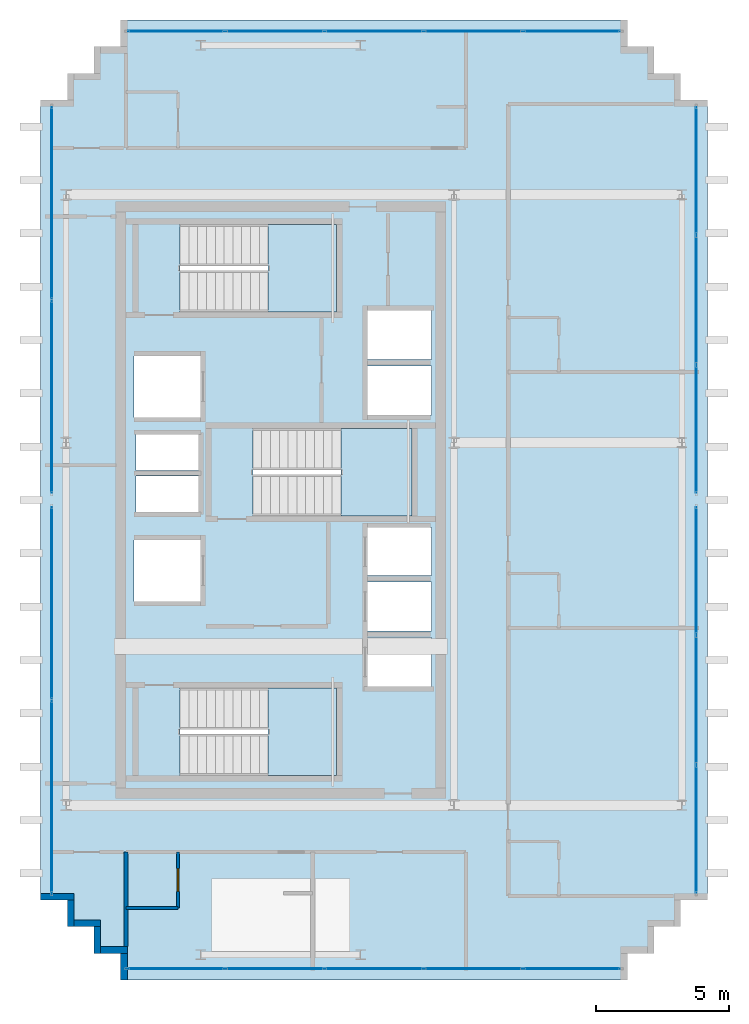
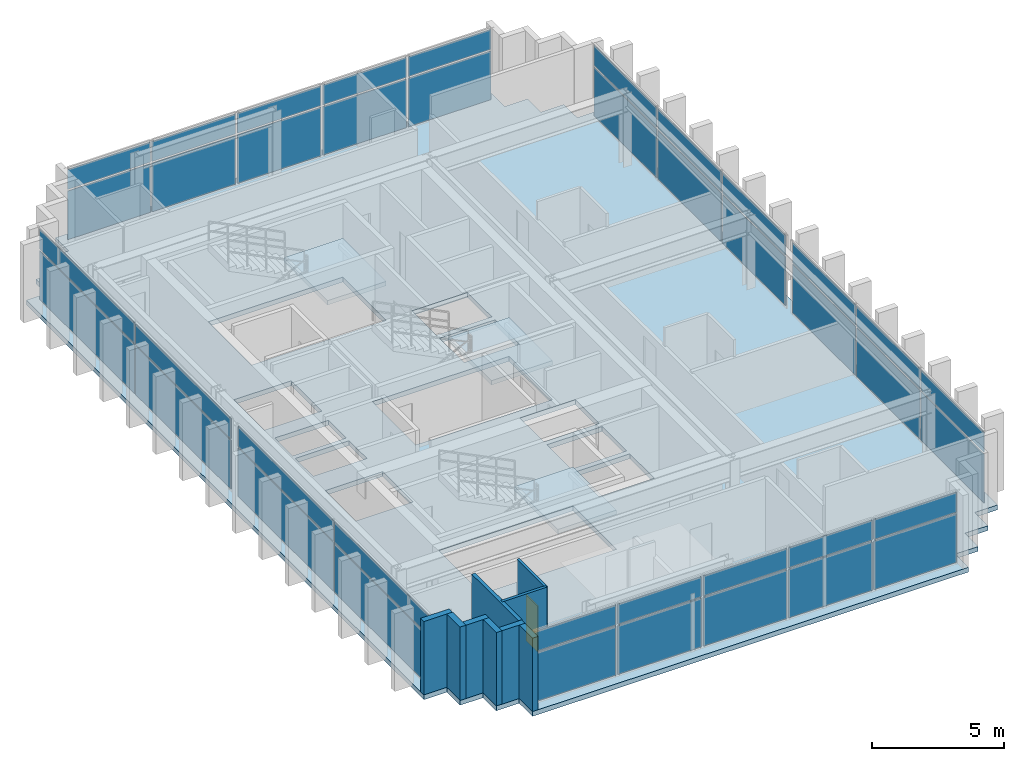
# One storey, part 11 of 15: 40 plates, 9 walls, 4 slabs, 1 door, 1 opening, 9 elements without a shape of their own.
"""IFC4 building model written with IfcOpenShell, lengths in metres."""

from ifc_helpers import new_model, si_unit, direction, frame, frame_2d, origin, origin_2d, place, context, subcontext, project, spatial, polyline, rectangle, outline, extrude, source, transform, mapped, material, layer, layer_set, type_object, element, fill, aggregate, save


model = new_model("IFC4")

# Units and contexts
model_context = context("Model", 3, precision=1e-05, world=origin(), true_north=direction((0.0, 1.0)))
body_context = subcontext(model_context, "Body", "Model", "MODEL_VIEW")
ifc_project = project(units=[si_unit("LENGTHUNIT", "METRE"), si_unit("AREAUNIT", "SQUARE_METRE"), si_unit("VOLUMEUNIT", "CUBIC_METRE"), si_unit("PLANEANGLEUNIT", "RADIAN"), si_unit("MASSUNIT", "GRAM", prefix="KILO")], contexts=[model_context])

# Site, building, storey
site_placement = place(None, origin())
site = spatial("IfcSite", under=ifc_project, at=site_placement, CompositionType="ELEMENT")
building_placement = place(site_placement, origin())
building = spatial("IfcBuilding", under=site, at=building_placement, Name="Ocotamira Hotel", CompositionType="ELEMENT")
storey_placement = place(building_placement, frame((0.0, 0.0, 279.60009765625)))
storey = spatial("IfcBuildingStorey", under=building, at=storey_placement, Name="L71", CompositionType="ELEMENT", Elevation=279.60009765625)

# Stair, slab
ifc_material_1 = material(Name="Concrete C40/50", Category="concrete")
stair_type = type_object("IfcStairType", Name="ST-CORE-1560", PredefinedType="HALF_TURN_STAIR", material=ifc_material_1)
stair_1_placement = place(storey_placement, origin())
stair_1 = element("IfcStair", 1, at=stair_1_placement, inside=storey, type_object=stair_type, Name="L71 Exit Stair ST-1", PredefinedType="HALF_TURN_STAIR")
ifc_layer_1 = layer(ifc_material_1, 0.199951171875)
ifc_layer_set_1 = layer_set([ifc_layer_1], Name="Concrete C40/50")
slab_type_1 = type_object("IfcSlabType", Name="SLB-LAND-200", PredefinedType="LANDING", material=ifc_layer_set_1)
slab_1_placement = place(storey_placement, frame((0.0, 0.0, 1.599853515625)))
slab_1 = element("IfcSlab", 2, at=slab_1_placement, type_object=slab_type_1, Name="ST-1 landing 1", PredefinedType="LANDING", context=body_context, shape_type="SweptSolid", body=[
    extrude(outline(polyline([(16.530029296875, 15.669921875), (19.090087890625, 15.669921875), (19.090087890625, 18.949951171875), (16.530029296875, 18.949951171875), (16.530029296875, 15.669921875)])), origin(), (0.0, 0.0, 1.0), 0.199951171875),
])
aggregate(stair_1, [slab_1])

stair_2_placement = place(storey_placement, origin())
stair_2 = element("IfcStair", 3, at=stair_2_placement, inside=storey, type_object=stair_type, Name="L71 Exit Stair ST-2", PredefinedType="HALF_TURN_STAIR")
slab_2_placement = place(storey_placement, frame((0.0, 0.0, 1.599853515625)))
slab_2 = element("IfcSlab", 4, at=slab_2_placement, type_object=slab_type_1, Name="ST-2 landing 1", PredefinedType="LANDING", context=body_context, shape_type="SweptSolid", body=[
    extrude(outline(polyline([(16.530029296875, 33.050048828125), (19.090087890625, 33.050048828125), (19.090087890625, 36.330078125), (16.530029296875, 36.330078125), (16.530029296875, 33.050048828125)])), origin(), (0.0, 0.0, 1.0), 0.199951171875),
])
aggregate(stair_2, [slab_2])

stair_3_placement = place(storey_placement, origin())
stair_3 = element("IfcStair", 5, at=stair_3_placement, inside=storey, type_object=stair_type, Name="L71 Exit Stair ST-3", PredefinedType="HALF_TURN_STAIR")
slab_3_placement = place(storey_placement, frame((0.0, 0.0, 1.599853515625)))
slab_3 = element("IfcSlab", 6, at=slab_3_placement, type_object=slab_type_1, Name="ST-3 landing 1", PredefinedType="LANDING", context=body_context, shape_type="SweptSolid", body=[
    extrude(outline(polyline([(19.260009765625, 25.39990234375), (21.919921875, 25.39990234375), (21.919921875, 28.679931640625), (19.260009765625, 28.679931640625), (19.260009765625, 25.39990234375)])), origin(), (0.0, 0.0, 1.0), 0.199951171875),
])
aggregate(stair_3, [slab_3])

# Slab
ifc_layer_2 = layer(ifc_material_1, 0.219970703125)
ifc_layer_set_2 = layer_set([ifc_layer_2], Name="Concrete C40/50")
slab_type_2 = type_object("IfcSlabType", Name="SLB-UPP-220", PredefinedType="FLOOR", material=ifc_layer_set_2)
slab_4_placement = place(storey_placement, frame((0.0, 0.0, -0.22021484375)))
element("IfcSlab", 7, at=slab_4_placement, inside=storey, type_object=slab_type_2, Name="L71 Structural Floor Slab", PredefinedType="FLOOR", context=body_context, shape_type="SweptSolid", body=[
    extrude(outline(polyline([(11.0, 8.0), (30.0, 8.0), (30.0, 9.0), (31.0, 9.0), (31.0, 10.0), (32.0, 10.0), (32.0, 11.0), (33.0, 11.0), (33.0, 41.0), (32.0, 41.0), (32.0, 42.0), (31.0, 42.0), (31.0, 43.0), (30.0, 43.0), (30.0, 44.0), (11.0, 44.0), (11.0, 43.0), (10.0, 43.0), (10.0, 42.0), (9.0, 42.0), (9.0, 41.0), (8.0, 41.0), (8.0, 11.0), (9.0, 11.0), (9.0, 10.0), (10.0, 10.0), (10.0, 9.0), (11.0, 9.0), (11.0, 8.0)]), holes=[polyline([(13.22998046875, 15.669921875), (19.090087890625, 15.669921875), (19.090087890625, 18.949951171875), (13.22998046875, 18.949951171875), (13.22998046875, 15.669921875)]), polyline([(13.22998046875, 33.050048828125), (19.090087890625, 33.050048828125), (19.090087890625, 36.330078125), (13.22998046875, 36.330078125), (13.22998046875, 33.050048828125)]), polyline([(15.9599609375, 25.39990234375), (21.919921875, 25.39990234375), (21.919921875, 28.679931640625), (15.9599609375, 28.679931640625), (15.9599609375, 25.39990234375)]), polyline([(20.25, 19.0), (22.659912109375, 19.0), (22.659912109375, 20.85009765625), (20.25, 20.85009765625), (20.25, 19.0)]), polyline([(20.25, 21.080078125), (22.659912109375, 21.080078125), (22.659912109375, 22.929931640625), (20.25, 22.929931640625), (20.25, 21.080078125)]), polyline([(20.25, 23.159912109375), (22.659912109375, 23.159912109375), (22.659912109375, 24.9599609375), (20.25, 24.9599609375), (20.25, 23.159912109375)]), polyline([(20.25, 29.179931640625), (22.659912109375, 29.179931640625), (22.659912109375, 31.030029296875), (20.25, 31.030029296875), (20.25, 29.179931640625)]), polyline([(20.25, 31.260009765625), (22.659912109375, 31.260009765625), (22.659912109375, 33.110107421875), (20.25, 33.110107421875), (20.25, 31.260009765625)]), polyline([(11.5, 22.199951171875), (14.0, 22.199951171875), (14.0, 24.5), (11.5, 24.5), (11.5, 22.199951171875)]), polyline([(11.5, 29.10009765625), (14.0, 29.10009765625), (14.0, 31.39990234375), (11.5, 31.39990234375), (11.5, 29.10009765625)]), polyline([(11.580078125, 25.550048828125), (13.919921875, 25.550048828125), (13.919921875, 26.89990234375), (11.580078125, 26.89990234375), (11.580078125, 25.550048828125)]), polyline([(11.580078125, 27.10009765625), (13.919921875, 27.10009765625), (13.919921875, 28.449951171875), (11.580078125, 28.449951171875), (11.580078125, 27.10009765625)])]), origin(), (0.0, 0.0, 1.0), 0.22021484375),
])

# Curtain wall, plates
ifc_material_2 = material(Name="Anodised pale-metal aluminium and solar glass", Category="aluminium")
ifc_layer_3 = layer(ifc_material_2, 0.2099609375)
ifc_layer_set_3 = layer_set([ifc_layer_3], Name="Anodised pale-metal aluminium and solar glass")
curtain_wall_type = type_object("IfcCurtainWallType", Name="CW-SYS7-PEAK", PredefinedType="NOTDEFINED", material=ifc_layer_set_3)
curtain_wall_1_placement = place(storey_placement, origin())
curtain_wall_1 = element("IfcCurtainWall", 8, at=curtain_wall_1_placement, inside=storey, type_object=curtain_wall_type, Name="L71 Curtain Wall CW-7 CW-L71-W1", PredefinedType="NOTDEFINED")
ifc_material_3 = material(Name="Double-silver low-E insulated solar glass", Category="glass")
ifc_layer_4 = layer(ifc_material_3, 0.031982421875)
ifc_layer_set_4 = layer_set([ifc_layer_4], Name="Double-silver low-E insulated solar glass")
plate_type = type_object("IfcPlateType", Name="CWP-VISION-32", PredefinedType="CURTAIN_PANEL", material=ifc_layer_set_4)
shared_shape_1 = source(origin(), body_context, "Body", "SweptSolid", [
    extrude(rectangle(XDim=7.179931640625, YDim=0.031982421875, at=origin_2d()), origin(), (0.0, 0.0, 1.0), 2.237548828125),
])
plate_1_placement = place(storey_placement, frame((8.419921875, 14.8701171875, 0.07470703125), z_axis=(0.0, 0.0, 1.0), x_axis=(0.0, 1.0, 0.0)))
plate_1 = element("IfcPlate", 9, at=plate_1_placement, type_object=plate_type, Name="CW-7 panel 1.1", PredefinedType="CURTAIN_PANEL", context=body_context, shape_type="MappedRepresentation", body=[
    mapped(shared_shape_1, transform((0.0, 0.0, 0.0), scale=1.0)),
])
plate_2_placement = place(storey_placement, frame((8.419921875, 22.1298828125, 0.07470703125), z_axis=(0.0, 0.0, 1.0), x_axis=(0.0, 1.0, 0.0)))
plate_2 = element("IfcPlate", 10, at=plate_2_placement, type_object=plate_type, Name="CW-7 panel 2.1", PredefinedType="CURTAIN_PANEL", context=body_context, shape_type="MappedRepresentation", body=[
    mapped(shared_shape_1, transform((0.0, 0.0, 0.0), scale=1.0)),
])

curtain_wall_2_placement = place(storey_placement, origin())
curtain_wall_2 = element("IfcCurtainWall", 11, at=curtain_wall_2_placement, inside=storey, type_object=curtain_wall_type, Name="L71 Curtain Wall CW-7 CW-L71-W2", PredefinedType="NOTDEFINED")
plate_3_placement = place(storey_placement, frame((8.419921875, 29.8701171875, 0.07470703125), z_axis=(0.0, 0.0, 1.0), x_axis=(0.0, 1.0, 0.0)))
plate_3 = element("IfcPlate", 12, at=plate_3_placement, type_object=plate_type, Name="CW-7 panel 1.1", PredefinedType="CURTAIN_PANEL", context=body_context, shape_type="MappedRepresentation", body=[
    mapped(shared_shape_1, transform((0.0, 0.0, 0.0), scale=1.0)),
])
plate_4_placement = place(storey_placement, frame((8.419921875, 37.1298828125, 0.07470703125), z_axis=(0.0, 0.0, 1.0), x_axis=(0.0, 1.0, 0.0)))
plate_4 = element("IfcPlate", 13, at=plate_4_placement, type_object=plate_type, Name="CW-7 panel 2.1", PredefinedType="CURTAIN_PANEL", context=body_context, shape_type="MappedRepresentation", body=[
    mapped(shared_shape_1, transform((0.0, 0.0, 0.0), scale=1.0)),
])

# Plate
shared_shape_2 = source(origin(), body_context, "Body", "SweptSolid", [
    extrude(rectangle(XDim=7.179931640625, YDim=0.031982421875, at=origin_2d()), origin(), (0.0, 0.0, 1.0), 0.91748046875),
])
plate_5_placement = place(storey_placement, frame((8.419921875, 14.8701171875, 2.387451171875), z_axis=(0.0, 0.0, 1.0), x_axis=(0.0, 1.0, 0.0)))
plate_5 = element("IfcPlate", 14, at=plate_5_placement, type_object=plate_type, Name="CW-7 panel 1.2", PredefinedType="CURTAIN_PANEL", context=body_context, shape_type="MappedRepresentation", body=[
    mapped(shared_shape_2, transform((0.0, 0.0, 0.0), scale=1.0)),
])

plate_6_placement = place(storey_placement, frame((8.419921875, 22.1298828125, 2.387451171875), z_axis=(0.0, 0.0, 1.0), x_axis=(0.0, 1.0, 0.0)))
plate_6 = element("IfcPlate", 15, at=plate_6_placement, type_object=plate_type, Name="CW-7 panel 2.2", PredefinedType="CURTAIN_PANEL", context=body_context, shape_type="MappedRepresentation", body=[
    mapped(shared_shape_2, transform((0.0, 0.0, 0.0), scale=1.0)),
])

aggregate(curtain_wall_1, [plate_1, plate_5, plate_2, plate_6])

plate_7_placement = place(storey_placement, frame((8.419921875, 29.8701171875, 2.387451171875), z_axis=(0.0, 0.0, 1.0), x_axis=(0.0, 1.0, 0.0)))
plate_7 = element("IfcPlate", 16, at=plate_7_placement, type_object=plate_type, Name="CW-7 panel 1.2", PredefinedType="CURTAIN_PANEL", context=body_context, shape_type="MappedRepresentation", body=[
    mapped(shared_shape_2, transform((0.0, 0.0, 0.0), scale=1.0)),
])

plate_8_placement = place(storey_placement, frame((8.419921875, 37.1298828125, 2.387451171875), z_axis=(0.0, 0.0, 1.0), x_axis=(0.0, 1.0, 0.0)))
plate_8 = element("IfcPlate", 17, at=plate_8_placement, type_object=plate_type, Name="CW-7 panel 2.2", PredefinedType="CURTAIN_PANEL", context=body_context, shape_type="MappedRepresentation", body=[
    mapped(shared_shape_2, transform((0.0, 0.0, 0.0), scale=1.0)),
])

aggregate(curtain_wall_2, [plate_3, plate_7, plate_4, plate_8])

# Curtain wall, plates
curtain_wall_3_placement = place(storey_placement, origin())
curtain_wall_3 = element("IfcCurtainWall", 18, at=curtain_wall_3_placement, inside=storey, type_object=curtain_wall_type, Name="L71 Curtain Wall CW-7 CW-L71-S1", PredefinedType="NOTDEFINED")
shared_shape_3 = source(origin(), body_context, "Body", "SweptSolid", [
    extrude(rectangle(XDim=3.60009765625, YDim=0.031982421875, at=origin_2d()), origin(), (0.0, 0.0, 1.0), 2.237548828125),
])
plate_9_placement = place(storey_placement, frame((13.080078125, 8.419921875, 0.07470703125), z_axis=(0.0, 0.0, 1.0), x_axis=(1.0, 0.0, 0.0)))
plate_9 = element("IfcPlate", 19, at=plate_9_placement, type_object=plate_type, Name="CW-7 panel 1.1", PredefinedType="CURTAIN_PANEL", context=body_context, shape_type="MappedRepresentation", body=[
    mapped(shared_shape_3, transform((0.0, 0.0, 0.0), scale=1.0)),
])
plate_10_placement = place(storey_placement, frame((27.919921875, 8.419921875, 0.07470703125), z_axis=(0.0, 0.0, 1.0), x_axis=(1.0, 0.0, 0.0)))
plate_10 = element("IfcPlate", 20, at=plate_10_placement, type_object=plate_type, Name="CW-7 panel 5.1", PredefinedType="CURTAIN_PANEL", context=body_context, shape_type="MappedRepresentation", body=[
    mapped(shared_shape_3, transform((0.0, 0.0, 0.0), scale=1.0)),
])

curtain_wall_4_placement = place(storey_placement, origin())
curtain_wall_4 = element("IfcCurtainWall", 21, at=curtain_wall_4_placement, inside=storey, type_object=curtain_wall_type, Name="L71 Curtain Wall CW-7 CW-L71-N", PredefinedType="NOTDEFINED")
plate_11_placement = place(storey_placement, frame((13.080078125, 43.580078125, 0.07470703125), z_axis=(0.0, 0.0, 1.0), x_axis=(1.0, 0.0, 0.0)))
plate_11 = element("IfcPlate", 22, at=plate_11_placement, type_object=plate_type, Name="CW-7 panel 1.1", PredefinedType="CURTAIN_PANEL", context=body_context, shape_type="MappedRepresentation", body=[
    mapped(shared_shape_3, transform((0.0, 0.0, 0.0), scale=1.0)),
])
plate_12_placement = place(storey_placement, frame((27.919921875, 43.580078125, 0.07470703125), z_axis=(0.0, 0.0, 1.0), x_axis=(1.0, 0.0, 0.0)))
plate_12 = element("IfcPlate", 23, at=plate_12_placement, type_object=plate_type, Name="CW-7 panel 5.1", PredefinedType="CURTAIN_PANEL", context=body_context, shape_type="MappedRepresentation", body=[
    mapped(shared_shape_3, transform((0.0, 0.0, 0.0), scale=1.0)),
])

# Plate
shared_shape_4 = source(origin(), body_context, "Body", "SweptSolid", [
    extrude(rectangle(XDim=3.60009765625, YDim=0.031982421875, at=origin_2d()), origin(), (0.0, 0.0, 1.0), 0.91748046875),
])
plate_13_placement = place(storey_placement, frame((13.080078125, 8.419921875, 2.387451171875), z_axis=(0.0, 0.0, 1.0), x_axis=(1.0, 0.0, 0.0)))
plate_13 = element("IfcPlate", 24, at=plate_13_placement, type_object=plate_type, Name="CW-7 panel 1.2", PredefinedType="CURTAIN_PANEL", context=body_context, shape_type="MappedRepresentation", body=[
    mapped(shared_shape_4, transform((0.0, 0.0, 0.0), scale=1.0)),
])

plate_14_placement = place(storey_placement, frame((27.919921875, 8.419921875, 2.387451171875), z_axis=(0.0, 0.0, 1.0), x_axis=(1.0, 0.0, 0.0)))
plate_14 = element("IfcPlate", 25, at=plate_14_placement, type_object=plate_type, Name="CW-7 panel 5.2", PredefinedType="CURTAIN_PANEL", context=body_context, shape_type="MappedRepresentation", body=[
    mapped(shared_shape_4, transform((0.0, 0.0, 0.0), scale=1.0)),
])

plate_15_placement = place(storey_placement, frame((13.080078125, 43.580078125, 2.387451171875), z_axis=(0.0, 0.0, 1.0), x_axis=(1.0, 0.0, 0.0)))
plate_15 = element("IfcPlate", 26, at=plate_15_placement, type_object=plate_type, Name="CW-7 panel 1.2", PredefinedType="CURTAIN_PANEL", context=body_context, shape_type="MappedRepresentation", body=[
    mapped(shared_shape_4, transform((0.0, 0.0, 0.0), scale=1.0)),
])

plate_16_placement = place(storey_placement, frame((27.919921875, 43.580078125, 2.387451171875), z_axis=(0.0, 0.0, 1.0), x_axis=(1.0, 0.0, 0.0)))
plate_16 = element("IfcPlate", 27, at=plate_16_placement, type_object=plate_type, Name="CW-7 panel 5.2", PredefinedType="CURTAIN_PANEL", context=body_context, shape_type="MappedRepresentation", body=[
    mapped(shared_shape_4, transform((0.0, 0.0, 0.0), scale=1.0)),
])

shared_shape_5 = source(origin(), body_context, "Body", "SweptSolid", [
    extrude(rectangle(XDim=3.639892578125, YDim=0.031982421875, at=origin_2d()), origin(), (0.0, 0.0, 1.0), 2.237548828125),
])
plate_17_placement = place(storey_placement, frame((16.780029296875, 8.419921875, 0.07470703125), z_axis=(0.0, 0.0, 1.0), x_axis=(1.0, 0.0, 0.0)))
plate_17 = element("IfcPlate", 28, at=plate_17_placement, type_object=plate_type, Name="CW-7 panel 2.1", PredefinedType="CURTAIN_PANEL", context=body_context, shape_type="MappedRepresentation", body=[
    mapped(shared_shape_5, transform((0.0, 0.0, 0.0), scale=1.0)),
])

plate_18_placement = place(storey_placement, frame((20.5, 8.419921875, 0.07470703125), z_axis=(0.0, 0.0, 1.0), x_axis=(1.0, 0.0, 0.0)))
plate_18 = element("IfcPlate", 29, at=plate_18_placement, type_object=plate_type, Name="CW-7 panel 3.1", PredefinedType="CURTAIN_PANEL", context=body_context, shape_type="MappedRepresentation", body=[
    mapped(shared_shape_5, transform((0.0, 0.0, 0.0), scale=1.0)),
])

plate_19_placement = place(storey_placement, frame((24.219970703125, 8.419921875, 0.07470703125), z_axis=(0.0, 0.0, 1.0), x_axis=(1.0, 0.0, 0.0)))
plate_19 = element("IfcPlate", 30, at=plate_19_placement, type_object=plate_type, Name="CW-7 panel 4.1", PredefinedType="CURTAIN_PANEL", context=body_context, shape_type="MappedRepresentation", body=[
    mapped(shared_shape_5, transform((0.0, 0.0, 0.0), scale=1.0)),
])

plate_20_placement = place(storey_placement, frame((16.780029296875, 43.580078125, 0.07470703125), z_axis=(0.0, 0.0, 1.0), x_axis=(1.0, 0.0, 0.0)))
plate_20 = element("IfcPlate", 31, at=plate_20_placement, type_object=plate_type, Name="CW-7 panel 2.1", PredefinedType="CURTAIN_PANEL", context=body_context, shape_type="MappedRepresentation", body=[
    mapped(shared_shape_5, transform((0.0, 0.0, 0.0), scale=1.0)),
])

plate_21_placement = place(storey_placement, frame((20.5, 43.580078125, 0.07470703125), z_axis=(0.0, 0.0, 1.0), x_axis=(1.0, 0.0, 0.0)))
plate_21 = element("IfcPlate", 32, at=plate_21_placement, type_object=plate_type, Name="CW-7 panel 3.1", PredefinedType="CURTAIN_PANEL", context=body_context, shape_type="MappedRepresentation", body=[
    mapped(shared_shape_5, transform((0.0, 0.0, 0.0), scale=1.0)),
])

plate_22_placement = place(storey_placement, frame((24.219970703125, 43.580078125, 0.07470703125), z_axis=(0.0, 0.0, 1.0), x_axis=(1.0, 0.0, 0.0)))
plate_22 = element("IfcPlate", 33, at=plate_22_placement, type_object=plate_type, Name="CW-7 panel 4.1", PredefinedType="CURTAIN_PANEL", context=body_context, shape_type="MappedRepresentation", body=[
    mapped(shared_shape_5, transform((0.0, 0.0, 0.0), scale=1.0)),
])

shared_shape_6 = source(origin(), body_context, "Body", "SweptSolid", [
    extrude(rectangle(XDim=3.639892578125, YDim=0.031982421875, at=origin_2d()), origin(), (0.0, 0.0, 1.0), 0.91748046875),
])
plate_23_placement = place(storey_placement, frame((16.780029296875, 8.419921875, 2.387451171875), z_axis=(0.0, 0.0, 1.0), x_axis=(1.0, 0.0, 0.0)))
plate_23 = element("IfcPlate", 34, at=plate_23_placement, type_object=plate_type, Name="CW-7 panel 2.2", PredefinedType="CURTAIN_PANEL", context=body_context, shape_type="MappedRepresentation", body=[
    mapped(shared_shape_6, transform((0.0, 0.0, 0.0), scale=1.0)),
])

plate_24_placement = place(storey_placement, frame((20.5, 8.419921875, 2.387451171875), z_axis=(0.0, 0.0, 1.0), x_axis=(1.0, 0.0, 0.0)))
plate_24 = element("IfcPlate", 35, at=plate_24_placement, type_object=plate_type, Name="CW-7 panel 3.2", PredefinedType="CURTAIN_PANEL", context=body_context, shape_type="MappedRepresentation", body=[
    mapped(shared_shape_6, transform((0.0, 0.0, 0.0), scale=1.0)),
])

plate_25_placement = place(storey_placement, frame((24.219970703125, 8.419921875, 2.387451171875), z_axis=(0.0, 0.0, 1.0), x_axis=(1.0, 0.0, 0.0)))
plate_25 = element("IfcPlate", 36, at=plate_25_placement, type_object=plate_type, Name="CW-7 panel 4.2", PredefinedType="CURTAIN_PANEL", context=body_context, shape_type="MappedRepresentation", body=[
    mapped(shared_shape_6, transform((0.0, 0.0, 0.0), scale=1.0)),
])

aggregate(curtain_wall_3, [plate_9, plate_13, plate_17, plate_23, plate_18, plate_24, plate_19, plate_25, plate_10, plate_14])

plate_26_placement = place(storey_placement, frame((16.780029296875, 43.580078125, 2.387451171875), z_axis=(0.0, 0.0, 1.0), x_axis=(1.0, 0.0, 0.0)))
plate_26 = element("IfcPlate", 37, at=plate_26_placement, type_object=plate_type, Name="CW-7 panel 2.2", PredefinedType="CURTAIN_PANEL", context=body_context, shape_type="MappedRepresentation", body=[
    mapped(shared_shape_6, transform((0.0, 0.0, 0.0), scale=1.0)),
])

plate_27_placement = place(storey_placement, frame((20.5, 43.580078125, 2.387451171875), z_axis=(0.0, 0.0, 1.0), x_axis=(1.0, 0.0, 0.0)))
plate_27 = element("IfcPlate", 38, at=plate_27_placement, type_object=plate_type, Name="CW-7 panel 3.2", PredefinedType="CURTAIN_PANEL", context=body_context, shape_type="MappedRepresentation", body=[
    mapped(shared_shape_6, transform((0.0, 0.0, 0.0), scale=1.0)),
])

plate_28_placement = place(storey_placement, frame((24.219970703125, 43.580078125, 2.387451171875), z_axis=(0.0, 0.0, 1.0), x_axis=(1.0, 0.0, 0.0)))
plate_28 = element("IfcPlate", 39, at=plate_28_placement, type_object=plate_type, Name="CW-7 panel 4.2", PredefinedType="CURTAIN_PANEL", context=body_context, shape_type="MappedRepresentation", body=[
    mapped(shared_shape_6, transform((0.0, 0.0, 0.0), scale=1.0)),
])

aggregate(curtain_wall_4, [plate_11, plate_15, plate_20, plate_26, plate_21, plate_27, plate_22, plate_28, plate_12, plate_16])

# Curtain wall, plates
curtain_wall_5_placement = place(storey_placement, origin())
curtain_wall_5 = element("IfcCurtainWall", 40, at=curtain_wall_5_placement, inside=storey, type_object=curtain_wall_type, Name="L71 Curtain Wall CW-7 CW-L71-E1", PredefinedType="NOTDEFINED")
shared_shape_7 = source(origin(), body_context, "Body", "SweptSolid", [
    extrude(rectangle(XDim=4.74658203125, YDim=0.031982421875, at=origin_2d()), origin(), (0.0, 0.0, 1.0), 2.237548828125),
])
plate_29_placement = place(storey_placement, frame((32.580078125, 13.6533203125, 0.07470703125), z_axis=(0.0, 0.0, 1.0), x_axis=(0.0, 1.0, 0.0)))
plate_29 = element("IfcPlate", 41, at=plate_29_placement, type_object=plate_type, Name="CW-7 panel 1.1", PredefinedType="CURTAIN_PANEL", context=body_context, shape_type="MappedRepresentation", body=[
    mapped(shared_shape_7, transform((0.0, 0.0, 0.0), scale=1.0)),
])
plate_30_placement = place(storey_placement, frame((32.580078125, 23.3466796875, 0.07470703125), z_axis=(0.0, 0.0, 1.0), x_axis=(0.0, 1.0, 0.0)))
plate_30 = element("IfcPlate", 42, at=plate_30_placement, type_object=plate_type, Name="CW-7 panel 3.1", PredefinedType="CURTAIN_PANEL", context=body_context, shape_type="MappedRepresentation", body=[
    mapped(shared_shape_7, transform((0.0, 0.0, 0.0), scale=1.0)),
])

curtain_wall_6_placement = place(storey_placement, origin())
curtain_wall_6 = element("IfcCurtainWall", 43, at=curtain_wall_6_placement, inside=storey, type_object=curtain_wall_type, Name="L71 Curtain Wall CW-7 CW-L71-E2", PredefinedType="NOTDEFINED")
plate_31_placement = place(storey_placement, frame((32.580078125, 28.6533203125, 0.07470703125), z_axis=(0.0, 0.0, 1.0), x_axis=(0.0, 1.0, 0.0)))
plate_31 = element("IfcPlate", 44, at=plate_31_placement, type_object=plate_type, Name="CW-7 panel 1.1", PredefinedType="CURTAIN_PANEL", context=body_context, shape_type="MappedRepresentation", body=[
    mapped(shared_shape_7, transform((0.0, 0.0, 0.0), scale=1.0)),
])
plate_32_placement = place(storey_placement, frame((32.580078125, 38.3466796875, 0.07470703125), z_axis=(0.0, 0.0, 1.0), x_axis=(0.0, 1.0, 0.0)))
plate_32 = element("IfcPlate", 45, at=plate_32_placement, type_object=plate_type, Name="CW-7 panel 3.1", PredefinedType="CURTAIN_PANEL", context=body_context, shape_type="MappedRepresentation", body=[
    mapped(shared_shape_7, transform((0.0, 0.0, 0.0), scale=1.0)),
])

# Plate
shared_shape_8 = source(origin(), body_context, "Body", "SweptSolid", [
    extrude(rectangle(XDim=4.74658203125, YDim=0.031982421875, at=origin_2d()), origin(), (0.0, 0.0, 1.0), 0.91748046875),
])
plate_33_placement = place(storey_placement, frame((32.580078125, 13.6533203125, 2.387451171875), z_axis=(0.0, 0.0, 1.0), x_axis=(0.0, 1.0, 0.0)))
plate_33 = element("IfcPlate", 46, at=plate_33_placement, type_object=plate_type, Name="CW-7 panel 1.2", PredefinedType="CURTAIN_PANEL", context=body_context, shape_type="MappedRepresentation", body=[
    mapped(shared_shape_8, transform((0.0, 0.0, 0.0), scale=1.0)),
])

plate_34_placement = place(storey_placement, frame((32.580078125, 23.3466796875, 2.387451171875), z_axis=(0.0, 0.0, 1.0), x_axis=(0.0, 1.0, 0.0)))
plate_34 = element("IfcPlate", 47, at=plate_34_placement, type_object=plate_type, Name="CW-7 panel 3.2", PredefinedType="CURTAIN_PANEL", context=body_context, shape_type="MappedRepresentation", body=[
    mapped(shared_shape_8, transform((0.0, 0.0, 0.0), scale=1.0)),
])

plate_35_placement = place(storey_placement, frame((32.580078125, 28.6533203125, 2.387451171875), z_axis=(0.0, 0.0, 1.0), x_axis=(0.0, 1.0, 0.0)))
plate_35 = element("IfcPlate", 48, at=plate_35_placement, type_object=plate_type, Name="CW-7 panel 1.2", PredefinedType="CURTAIN_PANEL", context=body_context, shape_type="MappedRepresentation", body=[
    mapped(shared_shape_8, transform((0.0, 0.0, 0.0), scale=1.0)),
])

plate_36_placement = place(storey_placement, frame((32.580078125, 38.3466796875, 2.387451171875), z_axis=(0.0, 0.0, 1.0), x_axis=(0.0, 1.0, 0.0)))
plate_36 = element("IfcPlate", 49, at=plate_36_placement, type_object=plate_type, Name="CW-7 panel 3.2", PredefinedType="CURTAIN_PANEL", context=body_context, shape_type="MappedRepresentation", body=[
    mapped(shared_shape_8, transform((0.0, 0.0, 0.0), scale=1.0)),
])

shared_shape_9 = source(origin(), body_context, "Body", "SweptSolid", [
    extrude(rectangle(XDim=4.78662109375, YDim=0.031982421875, at=origin_2d()), origin(), (0.0, 0.0, 1.0), 2.237548828125),
])
plate_37_placement = place(storey_placement, frame((32.580078125, 18.5, 0.07470703125), z_axis=(0.0, 0.0, 1.0), x_axis=(0.0, 1.0, 0.0)))
plate_37 = element("IfcPlate", 50, at=plate_37_placement, type_object=plate_type, Name="CW-7 panel 2.1", PredefinedType="CURTAIN_PANEL", context=body_context, shape_type="MappedRepresentation", body=[
    mapped(shared_shape_9, transform((0.0, 0.0, 0.0), scale=1.0)),
])

plate_38_placement = place(storey_placement, frame((32.580078125, 33.5, 0.07470703125), z_axis=(0.0, 0.0, 1.0), x_axis=(0.0, 1.0, 0.0)))
plate_38 = element("IfcPlate", 51, at=plate_38_placement, type_object=plate_type, Name="CW-7 panel 2.1", PredefinedType="CURTAIN_PANEL", context=body_context, shape_type="MappedRepresentation", body=[
    mapped(shared_shape_9, transform((0.0, 0.0, 0.0), scale=1.0)),
])

shared_shape_10 = source(origin(), body_context, "Body", "SweptSolid", [
    extrude(rectangle(XDim=4.78662109375, YDim=0.031982421875, at=origin_2d()), origin(), (0.0, 0.0, 1.0), 0.91748046875),
])
plate_39_placement = place(storey_placement, frame((32.580078125, 18.5, 2.387451171875), z_axis=(0.0, 0.0, 1.0), x_axis=(0.0, 1.0, 0.0)))
plate_39 = element("IfcPlate", 52, at=plate_39_placement, type_object=plate_type, Name="CW-7 panel 2.2", PredefinedType="CURTAIN_PANEL", context=body_context, shape_type="MappedRepresentation", body=[
    mapped(shared_shape_10, transform((0.0, 0.0, 0.0), scale=1.0)),
])

aggregate(curtain_wall_5, [plate_29, plate_33, plate_37, plate_39, plate_30, plate_34])

plate_40_placement = place(storey_placement, frame((32.580078125, 33.5, 2.387451171875), z_axis=(0.0, 0.0, 1.0), x_axis=(0.0, 1.0, 0.0)))
plate_40 = element("IfcPlate", 53, at=plate_40_placement, type_object=plate_type, Name="CW-7 panel 2.2", PredefinedType="CURTAIN_PANEL", context=body_context, shape_type="MappedRepresentation", body=[
    mapped(shared_shape_10, transform((0.0, 0.0, 0.0), scale=1.0)),
])

aggregate(curtain_wall_6, [plate_31, plate_35, plate_38, plate_40, plate_32, plate_36])

# Walls
ifc_material_4 = material(Name="Precast concrete C45/55", Category="concrete")
ifc_layer_5 = layer(ifc_material_4, 0.25)
ifc_layer_set_5 = layer_set([ifc_layer_5], Name="Precast concrete C45/55")
wall_type_1 = type_object("IfcWallType", Name="WL-EXT-SER-250", PredefinedType="SOLIDWALL", material=ifc_layer_set_5)
wall_1_placement = place(storey_placement, frame((8.0, 11.125, 0.0), z_axis=(0.0, 0.0, 1.0), x_axis=(1.0, 0.0, 0.0)))
element("IfcWall", 54, at=wall_1_placement, inside=storey, type_object=wall_type_1, Name="L71 Serrated Corner Wall 19", PredefinedType="SOLIDWALL", context=body_context, shape_type="SweptSolid", body=[
    extrude(rectangle(XDim=1.25, YDim=0.25, at=frame_2d((0.625, 0.0))), origin(), (0.0, 0.0, 1.0), 3.3798828125),
])
for number, where, z_axis, x_axis, name in (
    (55, (9.125, 11.0, 0.0), (0.0, 0.0, 1.0), (0.0, -1.0, 0.0), "L71 Serrated Corner Wall 20"),
    (56, (9.25, 10.125, 0.0), (0.0, 0.0, 1.0), (1.0, 0.0, 0.0), "L71 Serrated Corner Wall 21"),
    (57, (10.125, 10.0, 0.0), (0.0, 0.0, 1.0), (0.0, -1.0, 0.0), "L71 Serrated Corner Wall 22"),
    (58, (10.25, 9.125, 0.0), (0.0, 0.0, 1.0), (1.0, 0.0, 0.0), "L71 Serrated Corner Wall 23"),
    (59, (11.125, 9.0, 0.0), (0.0, 0.0, 1.0), (0.0, -1.0, 0.0), "L71 Serrated Corner Wall 24"),
):
    element("IfcWall", number, at=place(storey_placement, frame(where, z_axis=z_axis, x_axis=x_axis)), inside=storey, type_object=wall_type_1, Name=name, PredefinedType="SOLIDWALL", context=body_context, shape_type="SweptSolid", body=[
        extrude(rectangle(XDim=1.0, YDim=0.25, at=frame_2d((0.5, 0.0))), origin(), (0.0, 0.0, 1.0), 3.3798828125),
    ])

# Wall, opening, door
ifc_material_5 = material(Name="Moisture-resistant en-suite tile and gypsum partition", Category="gypsum")
ifc_layer_6 = layer(ifc_material_5, 0.1201171875)
ifc_layer_set_6 = layer_set([ifc_layer_6], Name="Moisture-resistant en-suite tile and gypsum partition")
wall_type_2 = type_object("IfcWallType", Name="WL-PART-120", PredefinedType="PARTITIONING", material=ifc_layer_set_6)
wall_2_placement = place(storey_placement, frame((13.14990234375, 10.699951171875, 0.0), z_axis=(0.0, 0.0, 1.0), x_axis=(0.0, 1.0, 0.0)))
wall_2 = element("IfcWall", 60, at=wall_2_placement, inside=storey, type_object=wall_type_2, Name="L71 Interior Wall PW-L71-WP0S-BAE1", PredefinedType="PARTITIONING", context=body_context, shape_type="SweptSolid", body=[
    extrude(rectangle(XDim=2.10009765625, YDim=0.1201171875, at=frame_2d((1.050048828125, 0.0))), origin(), (0.0, 0.0, 1.0), 3.3798828125),
])
opening_placement = place(wall_2_placement, frame((0.6201171875, 0.0, 0.0)))
opening = element("IfcOpeningElement", 61, at=opening_placement, cuts=wall_2, Name="Opening D-BA1", PredefinedType="OPENING", context=body_context, shape_type="SweptSolid", body=[
    extrude(rectangle(XDim=0.860107421875, YDim=2.10009765625, at=frame_2d((0.43017578125, 1.050048828125))), frame((0.0, 0.070068359375, 0.0), z_axis=(0.0, -1.0, 0.0), x_axis=(1.0, 0.0, 0.0)), (0.0, 0.0, 1.0), 0.14013671875),
])
ifc_material_6 = material(Name="Moisture-sealed en-suite timber door", Category="wood")
door_type = type_object("IfcDoorType", Name="DR-BATH-860", OperationType="NOTDEFINED", PredefinedType="DOOR", material=ifc_material_6)
shared_shape_11 = source(origin(), body_context, "Body", "SweptSolid", [
    extrude(rectangle(XDim=0.860107421875, YDim=2.10009765625, at=frame_2d((0.43017578125, 1.050048828125))), frame((0.0, 0.02490234375, 0.0), z_axis=(0.0, -1.0, 0.0), x_axis=(1.0, 0.0, 0.0)), (0.0, 0.0, 1.0), 0.050048828125),
])
door_placement = place(opening_placement, origin())
door = element("IfcDoor", 62, at=door_placement, inside=storey, type_object=door_type, Name="L71 Door ID-L71-WP0S-BAD1 [ID-L71-WP0S-BAD1]", OperationType="SINGLE_SWING_RIGHT", OverallHeight=2.10009765625, OverallWidth=0.860107421875, PredefinedType="DOOR", context=body_context, shape_type="MappedRepresentation", body=[
    mapped(shared_shape_11, transform((0.0, 0.0, 0.0), scale=1.0)),
])
fill(opening, door)

# Walls
wall_3_placement = place(storey_placement, frame((11.199951171875, 10.699951171875, 0.0), z_axis=(0.0, 0.0, 1.0), x_axis=(1.0, 0.0, 0.0)))
element("IfcWall", 63, at=wall_3_placement, inside=storey, type_object=wall_type_2, Name="L71 Interior Wall PW-L71-WP0S-BAS1", PredefinedType="PARTITIONING", context=body_context, shape_type="SweptSolid", body=[
    extrude(rectangle(XDim=1.949951171875, YDim=0.1201171875, at=frame_2d((0.97509765625, 0.0))), origin(), (0.0, 0.0, 1.0), 3.3798828125),
])
ifc_material_7 = material(Name="Acoustic double-stud hospitality gypsum partition", Category="gypsum")
ifc_layer_7 = layer(ifc_material_7, 0.159912109375)
ifc_layer_set_7 = layer_set([ifc_layer_7], Name="Acoustic double-stud hospitality gypsum partition")
wall_type_3 = type_object("IfcWallType", Name="WL-PART-160", PredefinedType="PARTITIONING", material=ifc_layer_set_7)
wall_4_placement = place(storey_placement, frame((11.199951171875, 9.260009765625, 0.0), z_axis=(0.0, 0.0, 1.0), x_axis=(0.0, 1.0, 0.0)))
element("IfcWall", 64, at=wall_4_placement, inside=storey, type_object=wall_type_3, Name="L71 Interior Wall PW-L71-WP0S-PW0", PredefinedType="PARTITIONING", context=body_context, shape_type="SweptSolid", body=[
    extrude(rectangle(XDim=3.5400390625, YDim=0.159912109375, at=frame_2d((1.77001953125, 0.0))), origin(), (0.0, 0.0, 1.0), 3.3798828125),
])

save(model, "model.ifc")
